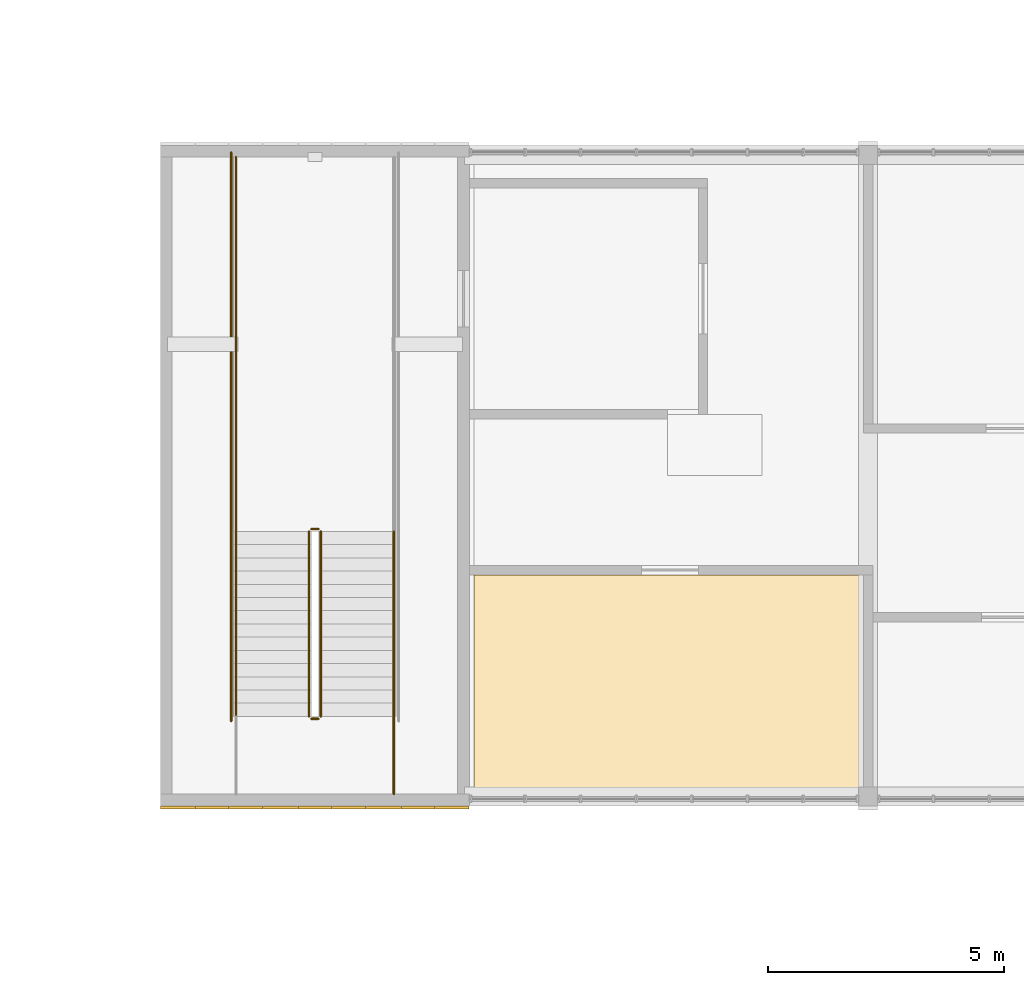
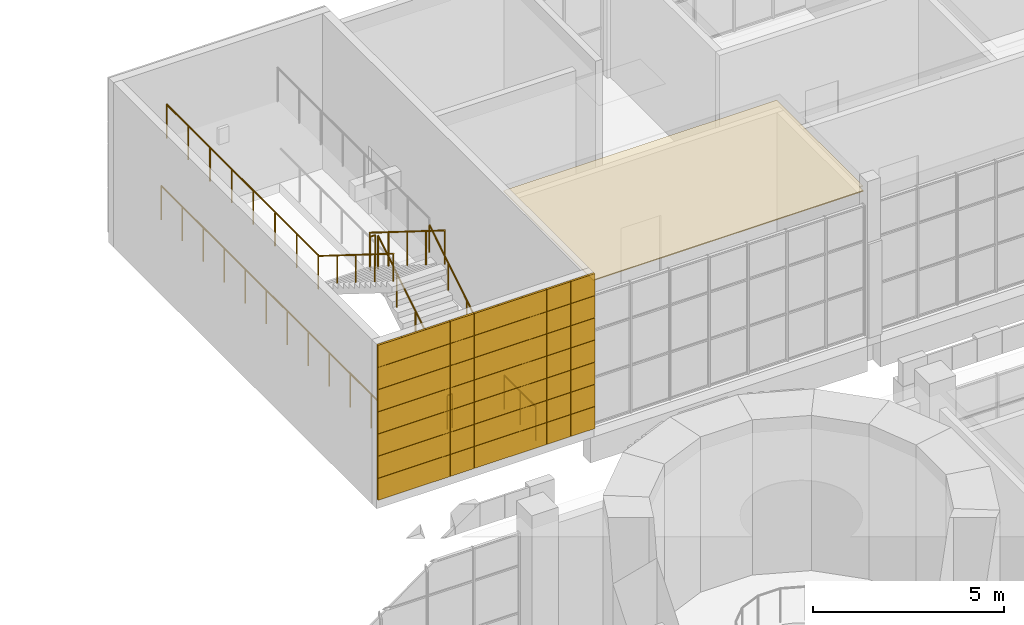
# One storey, part 102 of 125: 9 railings, 2 coverings.
"""IFC4 building model written with IfcOpenShell, lengths in metres."""

from ifc_helpers import new_model, si_unit, direction, frame, origin, origin_2d, place, context, subcontext, project, spatial, polyline, rectangle, circle, outline, extrude, material, layer, layer_set, type_object, element, save


model = new_model("IFC4")

# Units and contexts
model_context = context("Model", 3, precision=1e-05, world=origin(), true_north=direction((0.0, 1.0)))
body_context = subcontext(model_context, "Body", "Model", "MODEL_VIEW")
ifc_project = project(units=[si_unit("LENGTHUNIT", "METRE"), si_unit("AREAUNIT", "SQUARE_METRE"), si_unit("VOLUMEUNIT", "CUBIC_METRE"), si_unit("PLANEANGLEUNIT", "RADIAN"), si_unit("MASSUNIT", "GRAM", prefix="KILO")], contexts=[model_context])

# Site, building, storey
site_placement = place(None, origin())
site = spatial("IfcSite", under=ifc_project, at=site_placement, CompositionType="ELEMENT")
building_placement = place(site_placement, origin())
building = spatial("IfcBuilding", under=site, at=building_placement, Name="Sun Court Science Centre", CompositionType="ELEMENT")
storey_placement = place(building_placement, frame((0.0, 0.0, 6.0)))
storey = spatial("IfcBuildingStorey", under=building, at=storey_placement, Name="L01", CompositionType="ELEMENT", Elevation=6.0)

# Covering
ifc_material_1 = material(Name="Gypsum board")
ifc_layer_1 = layer(ifc_material_1, 0.030029296875)
ifc_layer_set_1 = layer_set([ifc_layer_1], Name="Gypsum board")
covering_type_1 = type_object("IfcCoveringType", Name="Ceiling suspended 600 module", PredefinedType="CEILING", material=ifc_layer_set_1)
covering_1_placement = place(storey_placement, frame((0.0, 0.0, 4.52001953125)))
element("IfcCovering", 1, at=covering_1_placement, inside=storey, type_object=covering_type_1, Name="L01-084 ceiling", PredefinedType="CEILING", context=body_context, shape_type="SweptSolid", body=[
    extrude(outline(polyline([(42.64990234375, 36.199951171875), (42.64990234375, 40.89990234375), (50.89990234375, 40.89990234375), (50.89990234375, 36.39990234375), (50.800048828125, 36.39990234375), (50.800048828125, 36.199951171875), (42.64990234375, 36.199951171875)])), origin(), (0.0, 0.0, 1.0), 0.030029296875),
])

# Railings
ifc_material_2 = material(Name="Steel S275", Category="steel")
railing_type_1 = type_object("IfcRailingType", Name="Guard 1100 steel balustrade", PredefinedType="GUARDRAIL", material=ifc_material_2)
railing_1_placement = place(storey_placement, frame((39.39990234375, 37.89794921875, 0.175048828125)))
element("IfcRailing", 2, at=railing_1_placement, inside=storey, type_object=railing_type_1, Name="L01 SP1 stair guard 1", PredefinedType="GUARDRAIL", context=body_context, shape_type="SweptSolid", body=[
    extrude(circle(Radius=0.02392578125, at=origin_2d()), frame((0.0, 0.0, 1.076171875), z_axis=(0.0, 0.848013138694, 0.529975203761), x_axis=(-1.0, 0.0, 0.0)), (0.0, 0.0, 1.0), 4.622802734375),
    extrude(circle(Radius=0.02099609375, at=origin_2d()), origin(), (0.0, 0.0, 1.0), 1.052001953125),
    extrude(circle(Radius=0.02099609375, at=origin_2d()), frame((0.0, 0.97998046875, 0.612548828125)), (0.0, 0.0, 1.0), 1.052001953125),
    extrude(circle(Radius=0.02099609375, at=origin_2d()), frame((0.0, 1.9599609375, 1.22509765625)), (0.0, 0.0, 1.0), 1.052001953125),
    extrude(circle(Radius=0.02099609375, at=origin_2d()), frame((0.0, 2.940185546875, 1.83740234375)), (0.0, 0.0, 1.0), 1.052001953125),
    extrude(circle(Radius=0.02099609375, at=origin_2d()), frame((0.0, 3.920166015625, 2.449951171875)), (0.0, 0.0, 1.0), 1.052001953125),
])
railing_2_placement = place(storey_placement, frame((39.35009765625, 41.867919921875, 2.625)))
element("IfcRailing", 3, at=railing_2_placement, inside=storey, type_object=railing_type_1, Name="L01 SP1 stair guard 2", PredefinedType="GUARDRAIL", context=body_context, shape_type="SweptSolid", body=[
    extrude(circle(Radius=0.02392578125, at=origin_2d()), frame((0.0, 0.0, 1.076171875), z_axis=(-1.0, 0.0, 0.0), x_axis=(0.0, -1.0, 0.0)), (0.0, 0.0, 1.0), 0.150146484375),
    extrude(circle(Radius=0.02099609375, at=origin_2d()), origin(), (0.0, 0.0, 1.0), 1.052001953125),
    extrude(circle(Radius=0.02099609375, at=origin_2d()), frame((-0.150146484375, 0.0, 0.0)), (0.0, 0.0, 1.0), 1.052001953125),
])
railing_3_placement = place(storey_placement, frame((37.60205078125, 41.818115234375, 2.625)))
element("IfcRailing", 4, at=railing_3_placement, inside=storey, type_object=railing_type_1, Name="L01 SP1 stair guard 4", PredefinedType="GUARDRAIL", context=body_context, shape_type="SweptSolid", body=[
    extrude(circle(Radius=0.02392578125, at=origin_2d()), frame((0.0, 0.0, 1.076171875), z_axis=(0.0, 1.0, 0.0), x_axis=(-1.0, 0.0, 0.0)), (0.0, 0.0, 1.0), 7.931884765625),
    extrude(circle(Radius=0.02099609375, at=origin_2d()), origin(), (0.0, 0.0, 1.0), 1.052001953125),
    extrude(circle(Radius=0.02099609375, at=origin_2d()), frame((0.0, 1.133056640625, 0.0)), (0.0, 0.0, 1.0), 1.052001953125),
    extrude(circle(Radius=0.02099609375, at=origin_2d()), frame((0.0, 2.266357421875, 0.0)), (0.0, 0.0, 1.0), 1.052001953125),
    extrude(circle(Radius=0.02099609375, at=origin_2d()), frame((0.0, 3.3994140625, 0.0)), (0.0, 0.0, 1.0), 1.052001953125),
    extrude(circle(Radius=0.02099609375, at=origin_2d()), frame((0.0, 4.532470703125, 0.0)), (0.0, 0.0, 1.0), 1.052001953125),
    extrude(circle(Radius=0.02099609375, at=origin_2d()), frame((0.0, 5.66552734375, 0.0)), (0.0, 0.0, 1.0), 1.052001953125),
    extrude(circle(Radius=0.02099609375, at=origin_2d()), frame((0.0, 6.798828125, 0.0)), (0.0, 0.0, 1.0), 1.052001953125),
    extrude(circle(Radius=0.02099609375, at=origin_2d()), frame((0.0, 7.931884765625, 0.0)), (0.0, 0.0, 1.0), 1.052001953125),
])
railing_4_placement = place(storey_placement, frame((39.14990234375, 41.818115234375, 2.800048828125)))
element("IfcRailing", 5, at=railing_4_placement, inside=storey, type_object=railing_type_1, Name="L01 SP1 stair guard 5", PredefinedType="GUARDRAIL", context=body_context, shape_type="SweptSolid", body=[
    extrude(circle(Radius=0.02392578125, at=origin_2d()), frame((0.0, 0.0, 1.076171875), z_axis=(0.0, -0.848013138694, 0.529975203761), x_axis=(1.0, 0.0, 0.0)), (0.0, 0.0, 1.0), 4.622802734375),
    extrude(circle(Radius=0.02099609375, at=origin_2d()), origin(), (0.0, 0.0, 1.0), 1.052001953125),
    extrude(circle(Radius=0.02099609375, at=origin_2d()), frame((0.0, -0.97998046875, 0.612548828125)), (0.0, 0.0, 1.0), 1.052001953125),
    extrude(circle(Radius=0.02099609375, at=origin_2d()), frame((0.0, -1.9599609375, 1.22509765625)), (0.0, 0.0, 1.0), 1.052001953125),
    extrude(circle(Radius=0.02099609375, at=origin_2d()), frame((0.0, -2.940185546875, 1.83740234375)), (0.0, 0.0, 1.0), 1.052001953125),
    extrude(circle(Radius=0.02099609375, at=origin_2d()), frame((0.0, -3.920166015625, 2.449951171875)), (0.0, 0.0, 1.0), 1.052001953125),
])
railing_5_placement = place(storey_placement, frame((39.35009765625, 37.847900390625, 0.0)))
element("IfcRailing", 6, at=railing_5_placement, inside=storey, type_object=railing_type_1, Name="L01 SP1 stair guard 6", PredefinedType="GUARDRAIL", context=body_context, shape_type="SweptSolid", body=[
    extrude(circle(Radius=0.02392578125, at=origin_2d()), frame((0.0, 0.0, 1.076171875), z_axis=(-1.0, 0.0, 0.0), x_axis=(0.0, -1.0, 0.0)), (0.0, 0.0, 1.0), 0.150146484375),
    extrude(circle(Radius=0.02099609375, at=origin_2d()), origin(), (0.0, 0.0, 1.0), 1.052001953125),
    extrude(circle(Radius=0.02099609375, at=origin_2d()), frame((-0.150146484375, 0.0, 0.0)), (0.0, 0.0, 1.0), 1.052001953125),
])
railing_6_placement = place(storey_placement, frame((40.947998046875, 36.25, 0.0)))
element("IfcRailing", 7, at=railing_6_placement, inside=storey, type_object=railing_type_1, Name="L01 SP1 stair guard 7", PredefinedType="GUARDRAIL", context=body_context, shape_type="SweptSolid", body=[
    extrude(circle(Radius=0.02392578125, at=origin_2d()), frame((0.0, 0.0, 1.076171875), z_axis=(0.0, 1.0, 0.0), x_axis=(-1.0, 0.0, 0.0)), (0.0, 0.0, 1.0), 1.64794921875),
    extrude(circle(Radius=0.02099609375, at=origin_2d()), origin(), (0.0, 0.0, 1.0), 1.052001953125),
    extrude(circle(Radius=0.02099609375, at=origin_2d()), frame((0.0, 0.823974609375, 0.0)), (0.0, 0.0, 1.0), 1.052001953125),
    extrude(circle(Radius=0.02099609375, at=origin_2d()), frame((0.0, 1.64794921875, 0.0)), (0.0, 0.0, 1.0), 1.052001953125),
])
railing_7_placement = place(storey_placement, frame((37.501953125, 37.798095703125, 0.0)))
element("IfcRailing", 8, at=railing_7_placement, inside=storey, type_object=railing_type_1, Name="L01 SP1 stair guard 10", PredefinedType="GUARDRAIL", context=body_context, shape_type="SweptSolid", body=[
    extrude(circle(Radius=0.02392578125, at=origin_2d()), frame((0.0, 0.0, 1.076171875), z_axis=(0.0, 1.0, 0.0), x_axis=(-1.0, 0.0, 0.0)), (0.0, 0.0, 1.0), 12.052001953125),
    extrude(circle(Radius=0.02099609375, at=origin_2d()), origin(), (0.0, 0.0, 1.0), 1.052001953125),
    extrude(circle(Radius=0.02099609375, at=origin_2d()), frame((0.0, 1.095703125, 0.0)), (0.0, 0.0, 1.0), 1.052001953125),
    extrude(circle(Radius=0.02099609375, at=origin_2d()), frame((0.0, 2.191162109375, 0.0)), (0.0, 0.0, 1.0), 1.052001953125),
    extrude(circle(Radius=0.02099609375, at=origin_2d()), frame((0.0, 3.286865234375, 0.0)), (0.0, 0.0, 1.0), 1.052001953125),
    extrude(circle(Radius=0.02099609375, at=origin_2d()), frame((0.0, 4.382568359375, 0.0)), (0.0, 0.0, 1.0), 1.052001953125),
    extrude(circle(Radius=0.02099609375, at=origin_2d()), frame((0.0, 5.478271484375, 0.0)), (0.0, 0.0, 1.0), 1.052001953125),
    extrude(circle(Radius=0.02099609375, at=origin_2d()), frame((0.0, 6.57373046875, 0.0)), (0.0, 0.0, 1.0), 1.052001953125),
    extrude(circle(Radius=0.02099609375, at=origin_2d()), frame((0.0, 7.66943359375, 0.0)), (0.0, 0.0, 1.0), 1.052001953125),
    extrude(circle(Radius=0.02099609375, at=origin_2d()), frame((0.0, 8.76513671875, 0.0)), (0.0, 0.0, 1.0), 1.052001953125),
    extrude(circle(Radius=0.02099609375, at=origin_2d()), frame((0.0, 9.86083984375, 0.0)), (0.0, 0.0, 1.0), 1.052001953125),
    extrude(circle(Radius=0.02099609375, at=origin_2d()), frame((0.0, 10.956298828125, 0.0)), (0.0, 0.0, 1.0), 1.052001953125),
    extrude(circle(Radius=0.02099609375, at=origin_2d()), frame((0.0, 12.052001953125, 0.0)), (0.0, 0.0, 1.0), 1.052001953125),
])
ifc_material_3 = material(Name="Stainless steel", Category="steel")
railing_type_2 = type_object("IfcRailingType", Name="Handrail 900 stainless", PredefinedType="HANDRAIL", material=ifc_material_3)
railing_8_placement = place(storey_placement, frame((40.947998046875, 37.89794921875, 0.175048828125)))
element("IfcRailing", 9, at=railing_8_placement, inside=storey, type_object=railing_type_2, Name="L01 SP1 stair handrail 1", PredefinedType="HANDRAIL", context=body_context, shape_type="SweptSolid", body=[
    extrude(circle(Radius=0.02392578125, at=origin_2d()), frame((0.0, 0.0, 0.8759765625), z_axis=(0.0, 0.848013138694, 0.529975203761), x_axis=(-1.0, 0.0, 0.0)), (0.0, 0.0, 1.0), 4.622802734375),
    extrude(circle(Radius=0.02099609375, at=origin_2d()), origin(), (0.0, 0.0, 1.0), 0.851806640625),
    extrude(circle(Radius=0.02099609375, at=origin_2d()), frame((0.0, 0.97998046875, 0.612548828125)), (0.0, 0.0, 1.0), 0.851806640625),
    extrude(circle(Radius=0.02099609375, at=origin_2d()), frame((0.0, 1.9599609375, 1.22509765625)), (0.0, 0.0, 1.0), 0.851806640625),
    extrude(circle(Radius=0.02099609375, at=origin_2d()), frame((0.0, 2.940185546875, 1.83740234375)), (0.0, 0.0, 1.0), 0.851806640625),
    extrude(circle(Radius=0.02099609375, at=origin_2d()), frame((0.0, 3.920166015625, 2.449951171875)), (0.0, 0.0, 1.0), 0.851806640625),
])
railing_9_placement = place(storey_placement, frame((37.60205078125, 41.818115234375, 2.800048828125)))
element("IfcRailing", 10, at=railing_9_placement, inside=storey, type_object=railing_type_2, Name="L01 SP1 stair handrail 2", PredefinedType="HANDRAIL", context=body_context, shape_type="SweptSolid", body=[
    extrude(circle(Radius=0.02392578125, at=origin_2d()), frame((0.0, 0.0, 0.8759765625), z_axis=(0.0, -0.848013138694, 0.529975203761), x_axis=(1.0, 0.0, 0.0)), (0.0, 0.0, 1.0), 4.622802734375),
    extrude(circle(Radius=0.02099609375, at=origin_2d()), origin(), (0.0, 0.0, 1.0), 0.851806640625),
    extrude(circle(Radius=0.02099609375, at=origin_2d()), frame((0.0, -0.97998046875, 0.612548828125)), (0.0, 0.0, 1.0), 0.851806640625),
    extrude(circle(Radius=0.02099609375, at=origin_2d()), frame((0.0, -1.9599609375, 1.22509765625)), (0.0, 0.0, 1.0), 0.851806640625),
    extrude(circle(Radius=0.02099609375, at=origin_2d()), frame((0.0, -2.940185546875, 1.83740234375)), (0.0, 0.0, 1.0), 0.851806640625),
    extrude(circle(Radius=0.02099609375, at=origin_2d()), frame((0.0, -3.920166015625, 2.449951171875)), (0.0, 0.0, 1.0), 0.851806640625),
])

# Covering
ifc_material_4 = material(Name="Red sandstone", Category="masonry")
ifc_layer_2 = layer(ifc_material_4, 0.06005859375)
ifc_layer_set_2 = layer_set([ifc_layer_2], Name="Red sandstone")
covering_type_2 = type_object("IfcCoveringType", Name="Red sandstone wall cladding 750", PredefinedType="CLADDING", material=ifc_layer_set_2)
covering_2_placement = place(storey_placement, frame((0.0, 0.0, -6.0)))
element("IfcCovering", 11, at=covering_2_placement, inside=storey, type_object=covering_type_2, Name="Red sandstone wall cladding south face L01", PredefinedType="CLADDING", context=body_context, shape_type="SweptSolid", body=[
    extrude(rectangle(XDim=0.7177734375, YDim=0.06005859375, at=origin_2d()), frame((42.18603515625, 35.969970703125, 6.0048828125), z_axis=(0.0, 0.0, 1.0), x_axis=(-1.0, 0.0, 0.0)), (0.0, 0.0, 1.0), 0.697021484375),
    extrude(rectangle(XDim=0.7177734375, YDim=0.06005859375, at=origin_2d()), frame((41.458251953125, 35.969970703125, 6.0048828125), z_axis=(0.0, 0.0, 1.0), x_axis=(-1.0, 0.0, 0.0)), (0.0, 0.0, 1.0), 0.697021484375),
    extrude(rectangle(XDim=0.7177734375, YDim=0.06005859375, at=origin_2d()), frame((40.73046875, 35.969970703125, 6.0048828125), z_axis=(0.0, 0.0, 1.0), x_axis=(-1.0, 0.0, 0.0)), (0.0, 0.0, 1.0), 0.697021484375),
    extrude(rectangle(XDim=0.7177734375, YDim=0.06005859375, at=origin_2d()), frame((40.002685546875, 35.969970703125, 6.0048828125), z_axis=(0.0, 0.0, 1.0), x_axis=(-1.0, 0.0, 0.0)), (0.0, 0.0, 1.0), 0.697021484375),
    extrude(rectangle(XDim=0.7177734375, YDim=0.06005859375, at=origin_2d()), frame((39.27490234375, 35.969970703125, 6.0048828125), z_axis=(0.0, 0.0, 1.0), x_axis=(-1.0, 0.0, 0.0)), (0.0, 0.0, 1.0), 0.697021484375),
    extrude(rectangle(XDim=0.7177734375, YDim=0.06005859375, at=origin_2d()), frame((38.547119140625, 35.969970703125, 6.0048828125), z_axis=(0.0, 0.0, 1.0), x_axis=(-1.0, 0.0, 0.0)), (0.0, 0.0, 1.0), 0.697021484375),
    extrude(rectangle(XDim=0.7177734375, YDim=0.06005859375, at=origin_2d()), frame((37.8193359375, 35.969970703125, 6.0048828125), z_axis=(0.0, 0.0, 1.0), x_axis=(-1.0, 0.0, 0.0)), (0.0, 0.0, 1.0), 0.697021484375),
    extrude(rectangle(XDim=0.7177734375, YDim=0.06005859375, at=origin_2d()), frame((37.091552734375, 35.969970703125, 6.0048828125), z_axis=(0.0, 0.0, 1.0), x_axis=(-1.0, 0.0, 0.0)), (0.0, 0.0, 1.0), 0.697021484375),
    extrude(rectangle(XDim=0.7177734375, YDim=0.06005859375, at=origin_2d()), frame((36.36376953125, 35.969970703125, 6.0048828125), z_axis=(0.0, 0.0, 1.0), x_axis=(-1.0, 0.0, 0.0)), (0.0, 0.0, 1.0), 0.697021484375),
    extrude(rectangle(XDim=0.7177734375, YDim=0.06005859375, at=origin_2d()), frame((42.18603515625, 35.969970703125, 6.71240234375), z_axis=(0.0, 0.0, 1.0), x_axis=(-1.0, 0.0, 0.0)), (0.0, 0.0, 1.0), 0.697021484375),
    extrude(rectangle(XDim=0.7177734375, YDim=0.06005859375, at=origin_2d()), frame((41.458251953125, 35.969970703125, 6.71240234375), z_axis=(0.0, 0.0, 1.0), x_axis=(-1.0, 0.0, 0.0)), (0.0, 0.0, 1.0), 0.697021484375),
    extrude(rectangle(XDim=0.7177734375, YDim=0.06005859375, at=origin_2d()), frame((40.73046875, 35.969970703125, 6.71240234375), z_axis=(0.0, 0.0, 1.0), x_axis=(-1.0, 0.0, 0.0)), (0.0, 0.0, 1.0), 0.697021484375),
    extrude(rectangle(XDim=0.7177734375, YDim=0.06005859375, at=origin_2d()), frame((40.002685546875, 35.969970703125, 6.71240234375), z_axis=(0.0, 0.0, 1.0), x_axis=(-1.0, 0.0, 0.0)), (0.0, 0.0, 1.0), 0.697021484375),
    extrude(rectangle(XDim=0.7177734375, YDim=0.06005859375, at=origin_2d()), frame((39.27490234375, 35.969970703125, 6.71240234375), z_axis=(0.0, 0.0, 1.0), x_axis=(-1.0, 0.0, 0.0)), (0.0, 0.0, 1.0), 0.697021484375),
    extrude(rectangle(XDim=0.7177734375, YDim=0.06005859375, at=origin_2d()), frame((38.547119140625, 35.969970703125, 6.71240234375), z_axis=(0.0, 0.0, 1.0), x_axis=(-1.0, 0.0, 0.0)), (0.0, 0.0, 1.0), 0.697021484375),
    extrude(rectangle(XDim=0.7177734375, YDim=0.06005859375, at=origin_2d()), frame((37.8193359375, 35.969970703125, 6.71240234375), z_axis=(0.0, 0.0, 1.0), x_axis=(-1.0, 0.0, 0.0)), (0.0, 0.0, 1.0), 0.697021484375),
    extrude(rectangle(XDim=0.7177734375, YDim=0.06005859375, at=origin_2d()), frame((37.091552734375, 35.969970703125, 6.71240234375), z_axis=(0.0, 0.0, 1.0), x_axis=(-1.0, 0.0, 0.0)), (0.0, 0.0, 1.0), 0.697021484375),
    extrude(rectangle(XDim=0.7177734375, YDim=0.06005859375, at=origin_2d()), frame((36.36376953125, 35.969970703125, 6.71240234375), z_axis=(0.0, 0.0, 1.0), x_axis=(-1.0, 0.0, 0.0)), (0.0, 0.0, 1.0), 0.697021484375),
    extrude(rectangle(XDim=0.7177734375, YDim=0.06005859375, at=origin_2d()), frame((42.18603515625, 35.969970703125, 7.41943359375), z_axis=(0.0, 0.0, 1.0), x_axis=(-1.0, 0.0, 0.0)), (0.0, 0.0, 1.0), 0.697021484375),
    extrude(rectangle(XDim=0.7177734375, YDim=0.06005859375, at=origin_2d()), frame((41.458251953125, 35.969970703125, 7.41943359375), z_axis=(0.0, 0.0, 1.0), x_axis=(-1.0, 0.0, 0.0)), (0.0, 0.0, 1.0), 0.697021484375),
    extrude(rectangle(XDim=0.7177734375, YDim=0.06005859375, at=origin_2d()), frame((40.73046875, 35.969970703125, 7.41943359375), z_axis=(0.0, 0.0, 1.0), x_axis=(-1.0, 0.0, 0.0)), (0.0, 0.0, 1.0), 0.697021484375),
    extrude(rectangle(XDim=0.7177734375, YDim=0.06005859375, at=origin_2d()), frame((40.002685546875, 35.969970703125, 7.41943359375), z_axis=(0.0, 0.0, 1.0), x_axis=(-1.0, 0.0, 0.0)), (0.0, 0.0, 1.0), 0.697021484375),
    extrude(rectangle(XDim=0.7177734375, YDim=0.06005859375, at=origin_2d()), frame((39.27490234375, 35.969970703125, 7.41943359375), z_axis=(0.0, 0.0, 1.0), x_axis=(-1.0, 0.0, 0.0)), (0.0, 0.0, 1.0), 0.697021484375),
    extrude(rectangle(XDim=0.7177734375, YDim=0.06005859375, at=origin_2d()), frame((38.547119140625, 35.969970703125, 7.41943359375), z_axis=(0.0, 0.0, 1.0), x_axis=(-1.0, 0.0, 0.0)), (0.0, 0.0, 1.0), 0.697021484375),
    extrude(rectangle(XDim=0.7177734375, YDim=0.06005859375, at=origin_2d()), frame((37.8193359375, 35.969970703125, 7.41943359375), z_axis=(0.0, 0.0, 1.0), x_axis=(-1.0, 0.0, 0.0)), (0.0, 0.0, 1.0), 0.697021484375),
    extrude(rectangle(XDim=0.7177734375, YDim=0.06005859375, at=origin_2d()), frame((37.091552734375, 35.969970703125, 7.41943359375), z_axis=(0.0, 0.0, 1.0), x_axis=(-1.0, 0.0, 0.0)), (0.0, 0.0, 1.0), 0.697021484375),
    extrude(rectangle(XDim=0.7177734375, YDim=0.06005859375, at=origin_2d()), frame((36.36376953125, 35.969970703125, 7.41943359375), z_axis=(0.0, 0.0, 1.0), x_axis=(-1.0, 0.0, 0.0)), (0.0, 0.0, 1.0), 0.697021484375),
    extrude(rectangle(XDim=0.7177734375, YDim=0.06005859375, at=origin_2d()), frame((42.18603515625, 35.969970703125, 8.12646484375), z_axis=(0.0, 0.0, 1.0), x_axis=(-1.0, 0.0, 0.0)), (0.0, 0.0, 1.0), 0.697021484375),
    extrude(rectangle(XDim=0.7177734375, YDim=0.06005859375, at=origin_2d()), frame((41.458251953125, 35.969970703125, 8.12646484375), z_axis=(0.0, 0.0, 1.0), x_axis=(-1.0, 0.0, 0.0)), (0.0, 0.0, 1.0), 0.697021484375),
    extrude(rectangle(XDim=0.7177734375, YDim=0.06005859375, at=origin_2d()), frame((40.73046875, 35.969970703125, 8.12646484375), z_axis=(0.0, 0.0, 1.0), x_axis=(-1.0, 0.0, 0.0)), (0.0, 0.0, 1.0), 0.697021484375),
    extrude(rectangle(XDim=0.7177734375, YDim=0.06005859375, at=origin_2d()), frame((40.002685546875, 35.969970703125, 8.12646484375), z_axis=(0.0, 0.0, 1.0), x_axis=(-1.0, 0.0, 0.0)), (0.0, 0.0, 1.0), 0.697021484375),
    extrude(rectangle(XDim=0.7177734375, YDim=0.06005859375, at=origin_2d()), frame((39.27490234375, 35.969970703125, 8.12646484375), z_axis=(0.0, 0.0, 1.0), x_axis=(-1.0, 0.0, 0.0)), (0.0, 0.0, 1.0), 0.697021484375),
    extrude(rectangle(XDim=0.7177734375, YDim=0.06005859375, at=origin_2d()), frame((38.547119140625, 35.969970703125, 8.12646484375), z_axis=(0.0, 0.0, 1.0), x_axis=(-1.0, 0.0, 0.0)), (0.0, 0.0, 1.0), 0.697021484375),
    extrude(rectangle(XDim=0.7177734375, YDim=0.06005859375, at=origin_2d()), frame((37.8193359375, 35.969970703125, 8.12646484375), z_axis=(0.0, 0.0, 1.0), x_axis=(-1.0, 0.0, 0.0)), (0.0, 0.0, 1.0), 0.697021484375),
    extrude(rectangle(XDim=0.7177734375, YDim=0.06005859375, at=origin_2d()), frame((37.091552734375, 35.969970703125, 8.12646484375), z_axis=(0.0, 0.0, 1.0), x_axis=(-1.0, 0.0, 0.0)), (0.0, 0.0, 1.0), 0.697021484375),
    extrude(rectangle(XDim=0.7177734375, YDim=0.06005859375, at=origin_2d()), frame((36.36376953125, 35.969970703125, 8.12646484375), z_axis=(0.0, 0.0, 1.0), x_axis=(-1.0, 0.0, 0.0)), (0.0, 0.0, 1.0), 0.697021484375),
    extrude(rectangle(XDim=0.7177734375, YDim=0.06005859375, at=origin_2d()), frame((42.18603515625, 35.969970703125, 8.83349609375), z_axis=(0.0, 0.0, 1.0), x_axis=(-1.0, 0.0, 0.0)), (0.0, 0.0, 1.0), 0.697021484375),
    extrude(rectangle(XDim=0.7177734375, YDim=0.06005859375, at=origin_2d()), frame((41.458251953125, 35.969970703125, 8.83349609375), z_axis=(0.0, 0.0, 1.0), x_axis=(-1.0, 0.0, 0.0)), (0.0, 0.0, 1.0), 0.697021484375),
    extrude(rectangle(XDim=0.7177734375, YDim=0.06005859375, at=origin_2d()), frame((40.73046875, 35.969970703125, 8.83349609375), z_axis=(0.0, 0.0, 1.0), x_axis=(-1.0, 0.0, 0.0)), (0.0, 0.0, 1.0), 0.697021484375),
    extrude(rectangle(XDim=0.7177734375, YDim=0.06005859375, at=origin_2d()), frame((40.002685546875, 35.969970703125, 8.83349609375), z_axis=(0.0, 0.0, 1.0), x_axis=(-1.0, 0.0, 0.0)), (0.0, 0.0, 1.0), 0.697021484375),
    extrude(rectangle(XDim=0.7177734375, YDim=0.06005859375, at=origin_2d()), frame((39.27490234375, 35.969970703125, 8.83349609375), z_axis=(0.0, 0.0, 1.0), x_axis=(-1.0, 0.0, 0.0)), (0.0, 0.0, 1.0), 0.697021484375),
    extrude(rectangle(XDim=0.7177734375, YDim=0.06005859375, at=origin_2d()), frame((38.547119140625, 35.969970703125, 8.83349609375), z_axis=(0.0, 0.0, 1.0), x_axis=(-1.0, 0.0, 0.0)), (0.0, 0.0, 1.0), 0.697021484375),
    extrude(rectangle(XDim=0.7177734375, YDim=0.06005859375, at=origin_2d()), frame((37.8193359375, 35.969970703125, 8.83349609375), z_axis=(0.0, 0.0, 1.0), x_axis=(-1.0, 0.0, 0.0)), (0.0, 0.0, 1.0), 0.697021484375),
    extrude(rectangle(XDim=0.7177734375, YDim=0.06005859375, at=origin_2d()), frame((37.091552734375, 35.969970703125, 8.83349609375), z_axis=(0.0, 0.0, 1.0), x_axis=(-1.0, 0.0, 0.0)), (0.0, 0.0, 1.0), 0.697021484375),
    extrude(rectangle(XDim=0.7177734375, YDim=0.06005859375, at=origin_2d()), frame((36.36376953125, 35.969970703125, 8.83349609375), z_axis=(0.0, 0.0, 1.0), x_axis=(-1.0, 0.0, 0.0)), (0.0, 0.0, 1.0), 0.697021484375),
    extrude(rectangle(XDim=0.7177734375, YDim=0.06005859375, at=origin_2d()), frame((42.18603515625, 35.969970703125, 9.541015625), z_axis=(0.0, 0.0, 1.0), x_axis=(-1.0, 0.0, 0.0)), (0.0, 0.0, 1.0), 0.697021484375),
    extrude(rectangle(XDim=0.7177734375, YDim=0.06005859375, at=origin_2d()), frame((41.458251953125, 35.969970703125, 9.541015625), z_axis=(0.0, 0.0, 1.0), x_axis=(-1.0, 0.0, 0.0)), (0.0, 0.0, 1.0), 0.697021484375),
    extrude(rectangle(XDim=0.7177734375, YDim=0.06005859375, at=origin_2d()), frame((40.73046875, 35.969970703125, 9.541015625), z_axis=(0.0, 0.0, 1.0), x_axis=(-1.0, 0.0, 0.0)), (0.0, 0.0, 1.0), 0.697021484375),
    extrude(rectangle(XDim=0.7177734375, YDim=0.06005859375, at=origin_2d()), frame((40.002685546875, 35.969970703125, 9.541015625), z_axis=(0.0, 0.0, 1.0), x_axis=(-1.0, 0.0, 0.0)), (0.0, 0.0, 1.0), 0.697021484375),
    extrude(rectangle(XDim=0.7177734375, YDim=0.06005859375, at=origin_2d()), frame((39.27490234375, 35.969970703125, 9.541015625), z_axis=(0.0, 0.0, 1.0), x_axis=(-1.0, 0.0, 0.0)), (0.0, 0.0, 1.0), 0.697021484375),
    extrude(rectangle(XDim=0.7177734375, YDim=0.06005859375, at=origin_2d()), frame((38.547119140625, 35.969970703125, 9.541015625), z_axis=(0.0, 0.0, 1.0), x_axis=(-1.0, 0.0, 0.0)), (0.0, 0.0, 1.0), 0.697021484375),
    extrude(rectangle(XDim=0.7177734375, YDim=0.06005859375, at=origin_2d()), frame((37.8193359375, 35.969970703125, 9.541015625), z_axis=(0.0, 0.0, 1.0), x_axis=(-1.0, 0.0, 0.0)), (0.0, 0.0, 1.0), 0.697021484375),
    extrude(rectangle(XDim=0.7177734375, YDim=0.06005859375, at=origin_2d()), frame((37.091552734375, 35.969970703125, 9.541015625), z_axis=(0.0, 0.0, 1.0), x_axis=(-1.0, 0.0, 0.0)), (0.0, 0.0, 1.0), 0.697021484375),
    extrude(rectangle(XDim=0.7177734375, YDim=0.06005859375, at=origin_2d()), frame((36.36376953125, 35.969970703125, 9.541015625), z_axis=(0.0, 0.0, 1.0), x_axis=(-1.0, 0.0, 0.0)), (0.0, 0.0, 1.0), 0.697021484375),
    extrude(rectangle(XDim=0.7177734375, YDim=0.06005859375, at=origin_2d()), frame((42.18603515625, 35.969970703125, 10.248046875), z_axis=(0.0, 0.0, 1.0), x_axis=(-1.0, 0.0, 0.0)), (0.0, 0.0, 1.0), 0.697021484375),
    extrude(rectangle(XDim=0.7177734375, YDim=0.06005859375, at=origin_2d()), frame((41.458251953125, 35.969970703125, 10.248046875), z_axis=(0.0, 0.0, 1.0), x_axis=(-1.0, 0.0, 0.0)), (0.0, 0.0, 1.0), 0.697021484375),
    extrude(rectangle(XDim=0.7177734375, YDim=0.06005859375, at=origin_2d()), frame((40.73046875, 35.969970703125, 10.248046875), z_axis=(0.0, 0.0, 1.0), x_axis=(-1.0, 0.0, 0.0)), (0.0, 0.0, 1.0), 0.697021484375),
    extrude(rectangle(XDim=0.7177734375, YDim=0.06005859375, at=origin_2d()), frame((40.002685546875, 35.969970703125, 10.248046875), z_axis=(0.0, 0.0, 1.0), x_axis=(-1.0, 0.0, 0.0)), (0.0, 0.0, 1.0), 0.697021484375),
    extrude(rectangle(XDim=0.7177734375, YDim=0.06005859375, at=origin_2d()), frame((39.27490234375, 35.969970703125, 10.248046875), z_axis=(0.0, 0.0, 1.0), x_axis=(-1.0, 0.0, 0.0)), (0.0, 0.0, 1.0), 0.697021484375),
    extrude(rectangle(XDim=0.7177734375, YDim=0.06005859375, at=origin_2d()), frame((38.547119140625, 35.969970703125, 10.248046875), z_axis=(0.0, 0.0, 1.0), x_axis=(-1.0, 0.0, 0.0)), (0.0, 0.0, 1.0), 0.697021484375),
    extrude(rectangle(XDim=0.7177734375, YDim=0.06005859375, at=origin_2d()), frame((37.8193359375, 35.969970703125, 10.248046875), z_axis=(0.0, 0.0, 1.0), x_axis=(-1.0, 0.0, 0.0)), (0.0, 0.0, 1.0), 0.697021484375),
    extrude(rectangle(XDim=0.7177734375, YDim=0.06005859375, at=origin_2d()), frame((37.091552734375, 35.969970703125, 10.248046875), z_axis=(0.0, 0.0, 1.0), x_axis=(-1.0, 0.0, 0.0)), (0.0, 0.0, 1.0), 0.697021484375),
    extrude(rectangle(XDim=0.7177734375, YDim=0.06005859375, at=origin_2d()), frame((36.36376953125, 35.969970703125, 10.248046875), z_axis=(0.0, 0.0, 1.0), x_axis=(-1.0, 0.0, 0.0)), (0.0, 0.0, 1.0), 0.697021484375),
])

save(model, "model.ifc")
